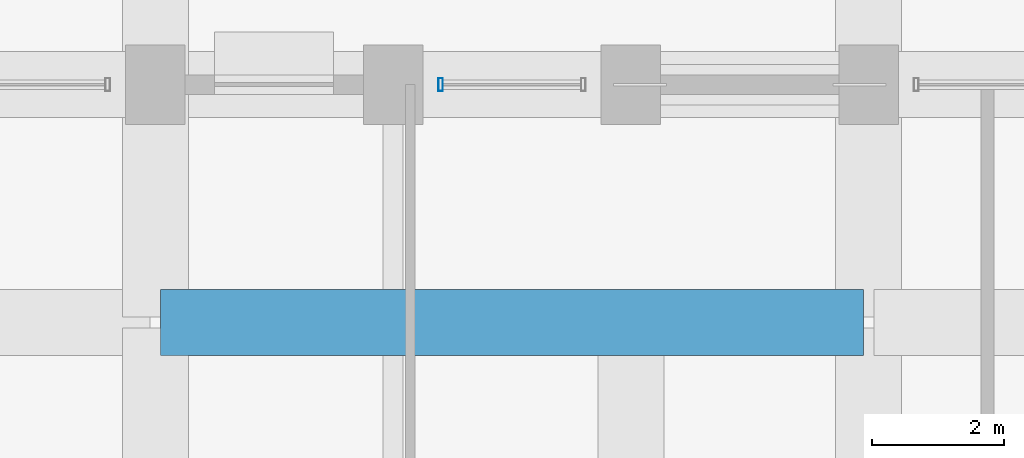
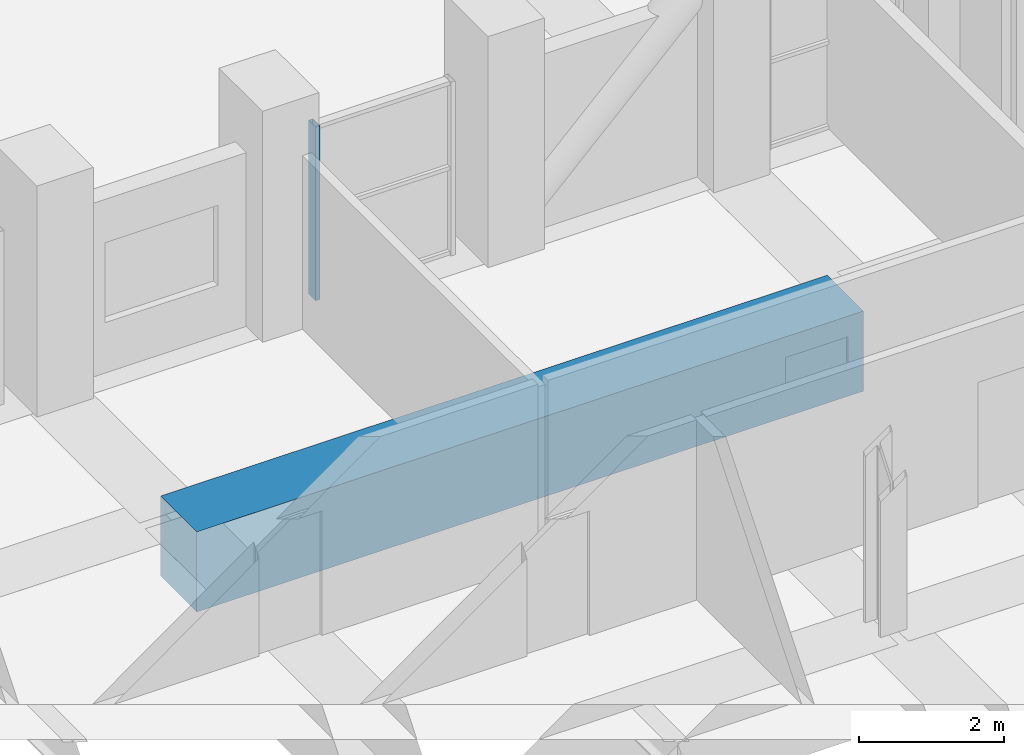
# One storey, part 17 of 39: 1 beam, 1 member, 1 element without a shape of its own.
"""IFC4 building model written with IfcOpenShell, lengths in metres."""

import ifcopenshell
import ifcopenshell.guid

model = None  # the IFC model being written
_history = None  # IfcOwnerHistory: only IFC2X3 demands one
_inside = {}  # id of a spatial element -> (the spatial element, [elements in it])
_under = {}  # id of a project, library or spatial element -> (it, [spatial elements below it])
_declared = {}  # id of a project -> (the project, [libraries it declares])
_typed = {}  # id of a type object -> (the type object, [elements of that type])
_made_of = {}  # id of a material, layer set ... -> (it, [elements and type objects made of it])


def new_model(schema):
    """Start an empty IFC model of exactly this schema.

    Asked for "IFC4X3", IfcOpenShell would pick the latest addendum, in which some entities
    have other attributes; the version numbers below select the first issue.
    IFC2X3 requires an IfcOwnerHistory on every rooted entity: one is made here for all.
    """
    global model, _history
    if schema == "IFC4X3":
        model = ifcopenshell.file(schema_version=(4, 3, 0, 0))
    else:
        model = ifcopenshell.file(schema=schema)
    _inside.clear()
    _under.clear()
    _declared.clear()
    _typed.clear()
    _made_of.clear()
    _history = None
    if model.schema == "IFC2X3":
        org = make("IfcOrganization", Name="unknown")
        user = make(
            "IfcPersonAndOrganization",
            ThePerson=make("IfcPerson", FamilyName="unknown"),
            TheOrganization=org,
        )
        app = make(
            "IfcApplication",
            ApplicationDeveloper=org,
            Version="unknown",
            ApplicationFullName="unknown",
            ApplicationIdentifier="unknown",
        )
        _history = make(
            "IfcOwnerHistory",
            OwningUser=user,
            OwningApplication=app,
            ChangeAction="ADDED",
            CreationDate=0,
        )
    return model


def make(cls, **values):
    """One entity of the class cls with the attributes given. An attribute that is None is left unset."""
    return model.create_entity(
        cls, **{name: value for name, value in values.items() if value is not None}
    )


def rooted(cls, **values):
    """An entity with a GlobalId (a new one), such as an element, a storey or a relation."""
    return make(cls, GlobalId=ifcopenshell.guid.new(), OwnerHistory=_history, **values)


def si_unit(unit_type, name, prefix=None):
    """IfcSIUnit, for example si_unit("LENGTHUNIT", "METRE", prefix="MILLI")."""
    return make("IfcSIUnit", UnitType=unit_type, Prefix=prefix, Name=name)


def assignment(units):
    """IfcUnitAssignment: the units of a project."""
    return None if units is None else make("IfcUnitAssignment", Units=units)


def point(xyz):
    """IfcCartesianPoint."""
    return None if xyz is None else make("IfcCartesianPoint", Coordinates=xyz)


def direction(xyz):
    """IfcDirection."""
    return None if xyz is None else make("IfcDirection", DirectionRatios=xyz)


def frame(location, z_axis=None, x_axis=None):
    """IfcAxis2Placement3D, a coordinate frame: its origin and axes. An axis left out is left unset."""
    return make(
        "IfcAxis2Placement3D",
        Location=point(location),
        Axis=direction(z_axis),
        RefDirection=direction(x_axis),
    )


def frame_2d(location, x_axis=None):
    """IfcAxis2Placement2D, a coordinate frame in the plane: its origin and x axis."""
    return make(
        "IfcAxis2Placement2D", Location=point(location), RefDirection=direction(x_axis)
    )


def origin():
    """The frame at (0, 0, 0) with its axes left unset."""
    return frame((0.0, 0.0, 0.0))


def origin_2d():
    """The frame at (0, 0) in the plane with its x axis left unset."""
    return frame_2d((0.0, 0.0))


def place(relative_to, where):
    """IfcLocalPlacement: puts the frame where relative to a parent placement (None: the world)."""
    return make(
        "IfcLocalPlacement", PlacementRelTo=relative_to, RelativePlacement=where
    )


def context(
    kind, dimensions, precision=None, world=None, true_north=None, identifier=None
):
    """IfcGeometricRepresentationContext, for example the 3D "Model" context."""
    return make(
        "IfcGeometricRepresentationContext",
        ContextIdentifier=identifier,
        ContextType=kind,
        CoordinateSpaceDimension=dimensions,
        Precision=precision,
        WorldCoordinateSystem=world,
        TrueNorth=true_north,
    )


def subcontext(parent, identifier, kind, view, scale=None):
    """IfcGeometricRepresentationSubContext, for example "Body" below "Model"."""
    return make(
        "IfcGeometricRepresentationSubContext",
        ContextIdentifier=identifier,
        ContextType=kind,
        ParentContext=parent,
        TargetScale=scale,
        TargetView=view,
    )


def project(units=None, contexts=None):
    """IfcProject with its units and contexts."""
    return rooted(
        "IfcProject",
        Name="project",
        RepresentationContexts=contexts,
        UnitsInContext=assignment(units),
    )


def spatial(cls, under=None, at=None, **own):
    """A site, building, storey or space (cls), placed at a placement, below another one or the project."""
    s = rooted(cls, ObjectPlacement=at, **own)
    if under is not None:
        _under.setdefault(under.id(), (under, []))[1].append(s)
    return s


def profile(cls, at=None, kind="AREA", **sizes):
    """A parametric profile (cls). Its sizes go by their IFC names, for example OverallWidth=200.0."""
    return make(cls, ProfileType=kind, Position=at, **sizes)


def rectangle(**sizes):
    """IfcRectangleProfileDef."""
    return profile("IfcRectangleProfileDef", **sizes)


def hollow_rectangle(**sizes):
    """IfcRectangleHollowProfileDef."""
    return profile("IfcRectangleHollowProfileDef", **sizes)


def extrude(swept, where, along, depth):
    """IfcExtrudedAreaSolid: the profile swept, set in the frame where, extruded along a direction by depth."""
    return make(
        "IfcExtrudedAreaSolid",
        SweptArea=swept,
        Position=where,
        ExtrudedDirection=direction(along),
        Depth=depth,
    )


def shape(context_of_items, identifier, shape_type, items):
    """IfcShapeRepresentation: the items that make up one representation, for example the "Body"."""
    return make(
        "IfcShapeRepresentation",
        ContextOfItems=context_of_items,
        RepresentationIdentifier=identifier,
        RepresentationType=shape_type,
        Items=items,
    )


def material(Name=None, Category=None):
    """IfcMaterial."""
    return make("IfcMaterial", Name=Name, Category=Category)


def layer(
    of_material, thickness, ventilated=None, Name=None, Category=None, Priority=None
):
    """IfcMaterialLayer: one layer of a wall or slab, of a material (None: an air gap)."""
    return make(
        "IfcMaterialLayer",
        Material=of_material,
        LayerThickness=thickness,
        IsVentilated=ventilated,
        Name=Name,
        Category=Category,
        Priority=Priority,
    )


def layer_set(layers, Name=None):
    """IfcMaterialLayerSet."""
    return make("IfcMaterialLayerSet", MaterialLayers=layers, LayerSetName=Name)


def material_profile(
    of_material, cross_section, Name=None, Category=None, Priority=None
):
    """IfcMaterialProfile: a cross section and its material."""
    return make(
        "IfcMaterialProfile",
        Name=Name,
        Material=of_material,
        Profile=cross_section,
        Priority=Priority,
        Category=Category,
    )


def profile_set(profiles, Name=None, composite=None):
    """IfcMaterialProfileSet."""
    return make(
        "IfcMaterialProfileSet",
        Name=Name,
        MaterialProfiles=profiles,
        CompositeProfile=composite,
    )


def made_of(thing, what):
    """Note that an element or type object is made of a material, layer set ...; save() writes the relation."""
    if what is not None:
        _made_of.setdefault(what.id(), (what, []))[1].append(thing)
    return thing


def type_object(cls, material=None, **own):
    """A type object (cls), such as IfcWallType, which elements share."""
    return made_of(rooted(cls, **own), material)


def element(
    cls,
    number,
    at=None,
    inside=None,
    cuts=None,
    type_object=None,
    material=None,
    context=None,
    identifier="Body",
    shape_type=None,
    held_by="IfcProductDefinitionShape",
    body=None,
    shapes=None,
    **own,
):
    """One element of the class cls, such as IfcWall. Its Tag is "e" and its number.

    at: its placement. inside: the storey or other place that contains it. cuts: it is an
    opening in that element (IfcRelVoidsElement). A single representation is given by context,
    identifier, shape_type and body (its items); several are given by shapes. held_by: the class
    of the entity that holds the representations. save() writes the other relations.
    """
    e = rooted(cls, Tag="e%d" % number, ObjectPlacement=at, **own)
    if body is not None:
        shapes = [shape(context, identifier, shape_type, body)]
    if shapes is not None:
        e.Representation = make(held_by, Representations=shapes)
    if inside is not None:
        _inside.setdefault(inside.id(), (inside, []))[1].append(e)
    if cuts is not None:
        rooted(
            "IfcRelVoidsElement", RelatingBuildingElement=cuts, RelatedOpeningElement=e
        )
    if type_object is not None:
        _typed.setdefault(type_object.id(), (type_object, []))[1].append(e)
    return made_of(e, material)


def aggregate(whole, parts):
    """IfcRelAggregates: a whole, such as a stair, and the parts it consists of."""
    return rooted("IfcRelAggregates", RelatingObject=whole, RelatedObjects=parts)


def save(model, path):
    """Write the relations noted so far, then the file.

    IfcRelAggregates (storeys below a building ...), IfcRelContainedInSpatialStructure (elements
    in a storey), IfcRelDefinesByType, IfcRelAssociatesMaterial and IfcRelDeclares: one each for
    every whole, place, type object, material and project.
    """
    for whole, parts in _under.values():
        aggregate(whole, parts)
    for where, things in _inside.values():
        rooted(
            "IfcRelContainedInSpatialStructure",
            RelatedElements=things,
            RelatingStructure=where,
        )
    for kind, things in _typed.values():
        rooted("IfcRelDefinesByType", RelatedObjects=things, RelatingType=kind)
    for what, things in _made_of.values():
        rooted("IfcRelAssociatesMaterial", RelatedObjects=things, RelatingMaterial=what)
    for by, libraries in _declared.values():
        rooted("IfcRelDeclares", RelatingContext=by, RelatedDefinitions=libraries)
    model.write(path)


model = new_model("IFC4")

# Units and contexts
model_context = context("Model", 3, precision=1e-05, world=origin(), true_north=direction((0.0, 1.0)))
body_context = subcontext(model_context, "Body", "Model", "MODEL_VIEW")
ifc_project = project(units=[si_unit("LENGTHUNIT", "METRE"), si_unit("AREAUNIT", "SQUARE_METRE"), si_unit("VOLUMEUNIT", "CUBIC_METRE"), si_unit("PLANEANGLEUNIT", "RADIAN"), si_unit("MASSUNIT", "GRAM", prefix="KILO")], contexts=[model_context])

# Site, building, storey
site_placement = place(None, origin())
site = spatial("IfcSite", under=ifc_project, at=site_placement, CompositionType="ELEMENT")
building_placement = place(site_placement, origin())
building = spatial("IfcBuilding", under=site, at=building_placement, Name="Solnavia Interchange Tower", CompositionType="ELEMENT")
storey_placement = place(building_placement, frame((0.0, 0.0, 24.0)))
storey = spatial("IfcBuildingStorey", under=building, at=storey_placement, Name="L05", CompositionType="ELEMENT", Elevation=24.0)

# Beam
ifc_material_1 = material(Name="Concrete C60/75", Category="concrete")
ifc_material_profile_1 = material_profile(ifc_material_1, rectangle(XDim=1.0, YDim=1.35009765625, at=origin_2d()), Name="RC 1000x1350")
ifc_profile_set_1 = profile_set([ifc_material_profile_1], Name="Concrete C60/75")
beam_type = type_object("IfcBeamType", Name="Beam-Transfer-RC1000x1350", PredefinedType="BEAM", material=ifc_profile_set_1)
beam_placement = place(storey_placement, frame((43.280029296875, 21.60009765625, -0.675048828125), z_axis=(1.0, 0.0, 0.0), x_axis=(0.0, 1.0, 0.0)))
element("IfcBeam", 1, at=beam_placement, inside=storey, type_object=beam_type, Name="TRB-L05-16 East-mid primary transfer girder", PredefinedType="BEAM", context=body_context, shape_type="SweptSolid", body=[
    extrude(rectangle(XDim=1.0, YDim=1.35009765625, at=origin_2d()), origin(), (0.0, 0.0, 1.0), 10.639892578125),
])

# Curtain wall, member
ifc_material_2 = material(Name="Aluminium Alloy 6063-T6", Category="aluminium")
ifc_layer = layer(ifc_material_2, 0.219970703125)
ifc_layer_set = layer_set([ifc_layer], Name="Aluminium Alloy 6063-T6")
curtain_wall_type = type_object("IfcCurtainWallType", Name="CurtainWall-Tower-CTW3", PredefinedType="NOTDEFINED", material=ifc_layer_set)
curtain_wall_placement = place(storey_placement, origin())
curtain_wall = element("IfcCurtainWall", 2, at=curtain_wall_placement, inside=storey, type_object=curtain_wall_type, Name="CTW-L05-S26 CTW-3 curtain wall", PredefinedType="NOTDEFINED")
ifc_material_profile_2 = material_profile(ifc_material_2, hollow_rectangle(XDim=0.070068359375, YDim=0.199951171875, WallThickness=0.0048828125, at=origin_2d()), Name="ALU 200x70x5")
ifc_profile_set_2 = profile_set([ifc_material_profile_2], Name="Aluminium Alloy 6063-T6")
member_type = type_object("IfcMemberType", Name="CW-Mullion-CWM-3", PredefinedType="MULLION", material=ifc_profile_set_2)
member_placement = place(storey_placement, frame((47.52001953125, 25.199951171875, 0.0), z_axis=(0.0, 0.0, 1.0), x_axis=(-1.0, 0.0, 0.0)))
member = element("IfcMember", 3, at=member_placement, type_object=member_type, Name="CTW-3 mullion 2", PredefinedType="MULLION", context=body_context, shape_type="SweptSolid", body=[
    extrude(hollow_rectangle(XDim=0.070068359375, YDim=0.199951171875, WallThickness=0.0048828125, at=origin_2d()), origin(), (0.0, 0.0, 1.0), 2.929931640625),
])
aggregate(curtain_wall, [member])

save(model, "model.ifc")
